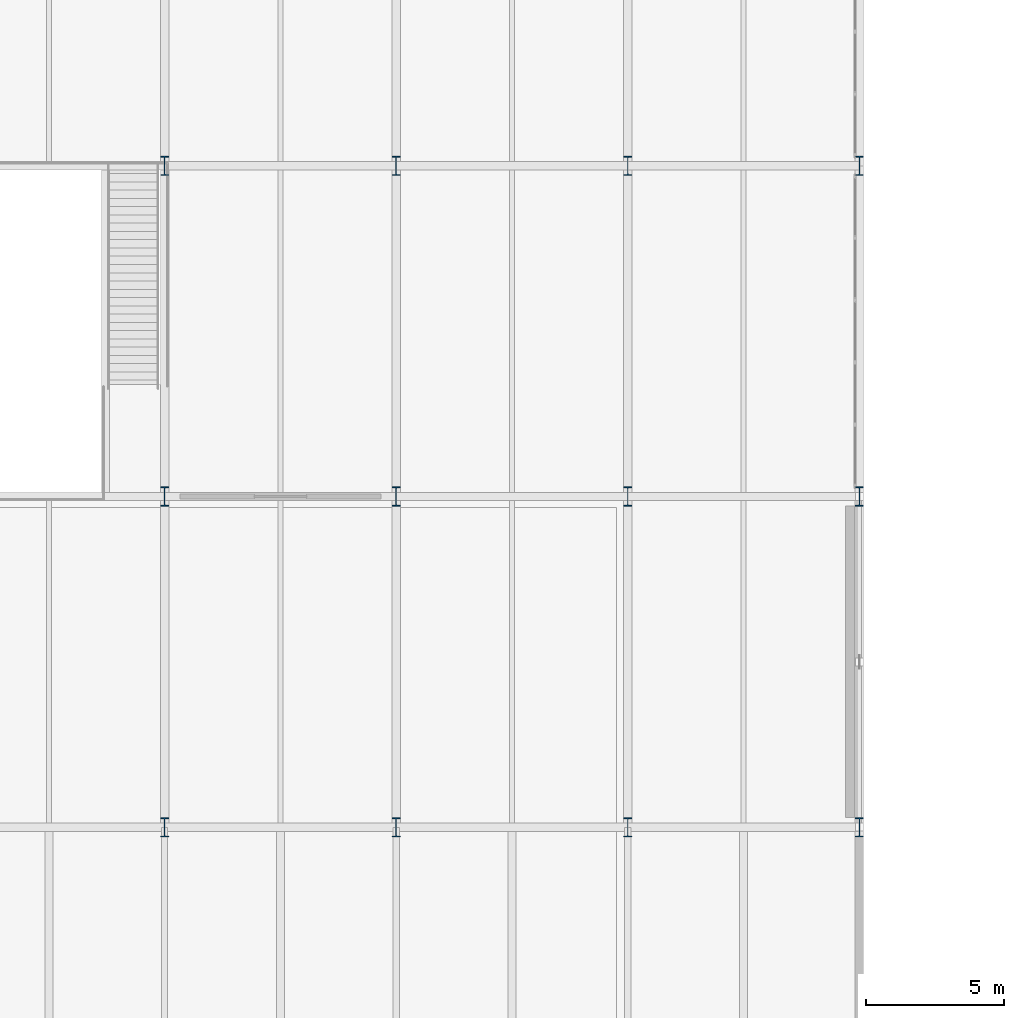
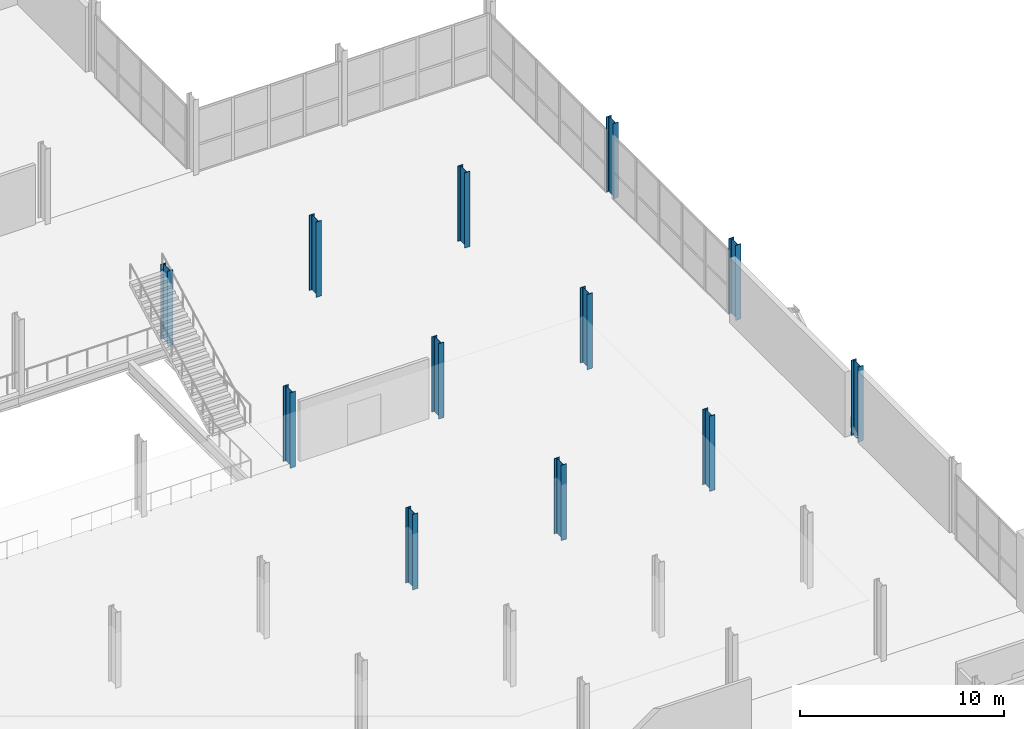
# One storey, part 7 of 113: 12 columns.
"""IFC4 building model written with IfcOpenShell, lengths in metres."""

from ifc_helpers import new_model, si_unit, direction, frame, origin, origin_2d, place, context, subcontext, project, spatial, i_section, extrude, material, material_profile, profile_set, type_object, element, save


model = new_model("IFC4")

# Units and contexts
model_context = context("Model", 3, precision=1e-05, world=origin(), true_north=direction((0.0, 1.0)))
body_context = subcontext(model_context, "Body", "Model", "MODEL_VIEW")
ifc_project = project(units=[si_unit("LENGTHUNIT", "METRE"), si_unit("AREAUNIT", "SQUARE_METRE"), si_unit("VOLUMEUNIT", "CUBIC_METRE"), si_unit("PLANEANGLEUNIT", "RADIAN"), si_unit("MASSUNIT", "GRAM", prefix="KILO")], contexts=[model_context])

# Site, building, storey
site_placement = place(None, origin())
site = spatial("IfcSite", under=ifc_project, at=site_placement, CompositionType="ELEMENT")
building_placement = place(site_placement, origin())
building = spatial("IfcBuilding", under=site, at=building_placement, Name="Veltarok Museum of Natural Sciences", CompositionType="ELEMENT")
storey_placement = place(building_placement, frame((0.0, 0.0, 8.39990234375)))
storey = spatial("IfcBuildingStorey", under=building, at=storey_placement, Name="L01", CompositionType="ELEMENT", Elevation=8.39990234375)

# Columns
ifc_material = material(Name="Steel S355J2", Category="steel")
ifc_material_profile_1 = material_profile(ifc_material, i_section(OverallWidth=0.300048828125, OverallDepth=0.699951171875, WebThickness=0.01708984375, FlangeThickness=0.031982421875, FilletRadius=0.027099609375, at=origin_2d()), Name="HEB 700")
ifc_profile_set_1 = profile_set([ifc_material_profile_1], Name="Steel S355J2")
column_type_1 = type_object("IfcColumnType", Name="Mid-Rise Frame Column HEB 700", PredefinedType="COLUMN", material=ifc_profile_set_1)
for number, where, z_axis, x_axis, name in (
    (1, (73.60009765625, 36.0, 0.0), (0.0, 0.0, 1.0), (1.0, 0.0, 0.0), "Column COL-S03 L01 9/E"),
    (2, (73.60009765625, 48.0, 0.0), (0.0, 0.0, 1.0), (1.0, 0.0, 0.0), "Column COL-S03 L01 9/F"),
    (3, (73.60009765625, 60.0, 0.0), (0.0, 0.0, 1.0), (1.0, 0.0, 0.0), "Column COL-S03 L01 9/G"),
    (4, (82.0, 36.0, 0.0), (0.0, 0.0, 1.0), (1.0, 0.0, 0.0), "Column COL-S03 L01 10/E"),
    (5, (82.0, 48.0, 0.0), (0.0, 0.0, 1.0), (1.0, 0.0, 0.0), "Column COL-S03 L01 10/F"),
    (6, (82.0, 60.0, 0.0), (0.0, 0.0, 1.0), (1.0, 0.0, 0.0), "Column COL-S03 L01 10/G"),
    (7, (90.39990234375, 36.0, 0.0), (0.0, 0.0, 1.0), (1.0, 0.0, 0.0), "Column COL-S03 L01 11/E"),
    (8, (90.39990234375, 48.0, 0.0), (0.0, 0.0, 1.0), (1.0, 0.0, 0.0), "Column COL-S03 L01 11/F"),
    (9, (90.39990234375, 60.0, 0.0), (0.0, 0.0, 1.0), (1.0, 0.0, 0.0), "Column COL-S03 L01 11/G"),
):
    element("IfcColumn", number, at=place(storey_placement, frame(where, z_axis=z_axis, x_axis=x_axis)), inside=storey, type_object=column_type_1, Name=name, PredefinedType="COLUMN", context=body_context, shape_type="SweptSolid", body=[
        extrude(i_section(OverallWidth=0.300048828125, OverallDepth=0.699951171875, WebThickness=0.01708984375, FlangeThickness=0.031982421875, FilletRadius=0.027099609375, at=origin_2d()), origin(), (0.0, 0.0, 1.0), 4.5),
    ])
ifc_material_profile_2 = material_profile(ifc_material, i_section(OverallWidth=0.300048828125, OverallDepth=0.699951171875, WebThickness=0.01708984375, FlangeThickness=0.031982421875, FilletRadius=0.027099609375, at=origin_2d()), Name="HEB 700")
ifc_profile_set_2 = profile_set([ifc_material_profile_2], Name="Steel S355J2")
column_type_2 = type_object("IfcColumnType", Name="Perimeter Steel Column HEB 700", PredefinedType="COLUMN", material=ifc_profile_set_2)
for number, where, z_axis, x_axis, name in (
    (10, (98.800048828125, 36.0, 0.0), (0.0, 0.0, 1.0), (1.0, 0.0, 0.0), "Column COL-EXT01 L01 12/E"),
    (11, (98.800048828125, 48.0, 0.0), (0.0, 0.0, 1.0), (1.0, 0.0, 0.0), "Column COL-EXT01 L01 12/F"),
    (12, (98.800048828125, 60.0, 0.0), (0.0, 0.0, 1.0), (1.0, 0.0, 0.0), "Column COL-EXT01 L01 12/G"),
):
    element("IfcColumn", number, at=place(storey_placement, frame(where, z_axis=z_axis, x_axis=x_axis)), inside=storey, type_object=column_type_2, Name=name, PredefinedType="COLUMN", context=body_context, shape_type="SweptSolid", body=[
        extrude(i_section(OverallWidth=0.300048828125, OverallDepth=0.699951171875, WebThickness=0.01708984375, FlangeThickness=0.031982421875, FilletRadius=0.027099609375, at=origin_2d()), origin(), (0.0, 0.0, 1.0), 4.5),
    ])

save(model, "model.ifc")
